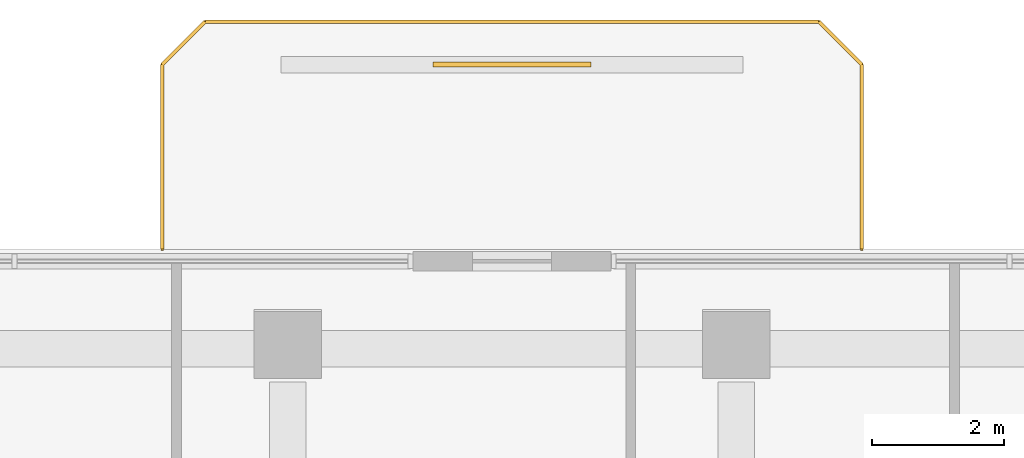
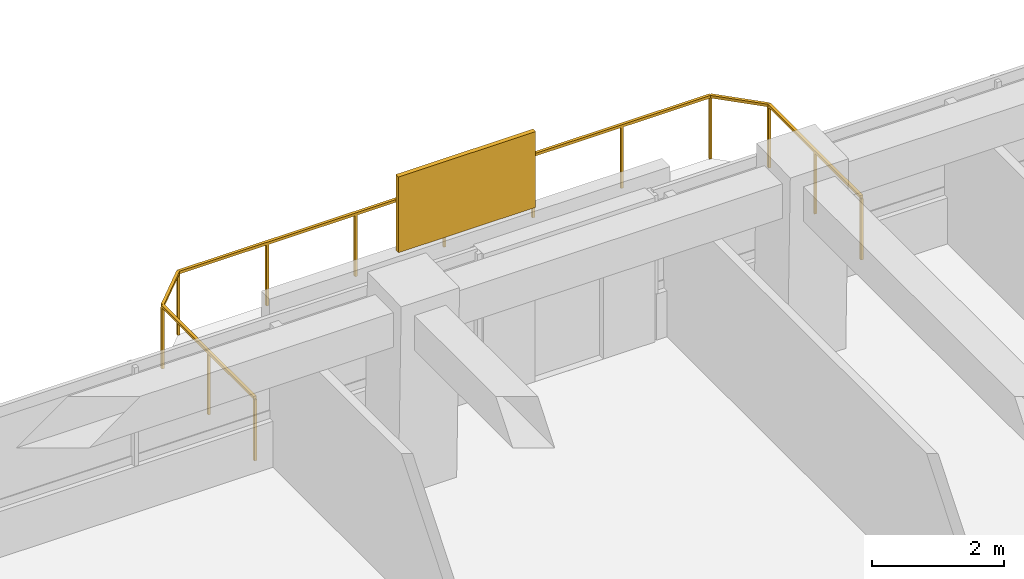
# One storey, part 13 of 13: 1 railing, 1 shading device.
"""IFC4 building model written with IfcOpenShell, lengths in metres."""

from ifc_helpers import new_model, si_unit, derived_unit, direction, frame, origin, origin_2d, place, context, subcontext, project, spatial, rectangle, extrude, material, layer, layer_set, type_object, element, save


model = new_model("IFC4")

# Units and contexts
model_context = context("Model", 3, precision=1e-05, world=origin(), true_north=direction((0.0, 1.0)))
body_context = subcontext(model_context, "Body", "Model", "MODEL_VIEW")
ifc_project = project(units=[si_unit("LENGTHUNIT", "METRE"), si_unit("AREAUNIT", "SQUARE_METRE"), si_unit("VOLUMEUNIT", "CUBIC_METRE"), si_unit("PLANEANGLEUNIT", "RADIAN"), si_unit("MASSUNIT", "GRAM", prefix="KILO"), derived_unit("THERMALTRANSMITTANCEUNIT", [(si_unit("POWERUNIT", "WATT"), 1), (si_unit("LENGTHUNIT", "METRE"), -2), (si_unit("THERMODYNAMICTEMPERATUREUNIT", "KELVIN"), -1)])], contexts=[model_context])

# Site, building, storey
site_placement = place(None, origin())
site = spatial("IfcSite", under=ifc_project, at=site_placement, CompositionType="ELEMENT")
building_placement = place(site_placement, origin())
building = spatial("IfcBuilding", under=site, at=building_placement, Name="Koralith Skygarden Medical Center", CompositionType="ELEMENT")
storey_placement = place(building_placement, frame((0.0, 0.0, 102.780029296875)))
storey = spatial("IfcBuildingStorey", under=building, at=storey_placement, Name="L26", CompositionType="ELEMENT", Elevation=102.780029296875)

# Railing
ifc_material_1 = material(Name="Steel ASTM A500 Grade C", Category="steel")
railing_type = type_object("IfcRailingType", Name="Outdoor Terrace & Balcony Safety Guardrail 1180", PredefinedType="GUARDRAIL", material=ifc_material_1)
railing_placement = place(storey_placement, frame((42.300048828125, 47.946044921875, 0.0)))
element("IfcRailing", 1, at=railing_placement, inside=storey, type_object=railing_type, Name="L26 N Balcony Perimeter Guardrail", PredefinedType="GUARDRAIL", context=body_context, shape_type="SweptSolid", body=[
    extrude(rectangle(XDim=0.050048828125, YDim=0.050048828125, at=origin_2d()), frame((0.0, 0.001953125, 1.15478515625), z_axis=(0.0, 1.0, 0.0), x_axis=(-1.0, 0.0, 0.0)), (0.0, 0.0, 1.0), 2.796142578125),
    extrude(rectangle(XDim=0.050048828125, YDim=0.050048828125, at=origin_2d()), frame((-0.00146484375, 2.801513671875, 1.15478515625), z_axis=(-0.707239558722, 0.706973978714, 0.0), x_axis=(-0.706973978714, -0.707239558722, 0.0)), (0.0, 0.0, 1.0), 0.915283203125),
    extrude(rectangle(XDim=0.050048828125, YDim=0.050048828125, at=origin_2d()), frame((-0.652099609375, 3.449951171875, 1.15478515625), z_axis=(-1.0, 0.0, 0.0), x_axis=(0.0, -1.0, 0.0)), (0.0, 0.0, 1.0), 9.2958984375),
    extrude(rectangle(XDim=0.050048828125, YDim=0.050048828125, at=origin_2d()), frame((-9.951416015625, 3.448486328125, 1.15478515625), z_axis=(-0.707239558722, -0.706973978714, 0.0), x_axis=(0.706973978714, -0.707239558722, 0.0)), (0.0, 0.0, 1.0), 0.915283203125),
    extrude(rectangle(XDim=0.050048828125, YDim=0.050048828125, at=origin_2d()), frame((-10.60009765625, 2.798095703125, 1.15478515625), z_axis=(0.0, -1.0, 0.0), x_axis=(1.0, 0.0, 0.0)), (0.0, 0.0, 1.0), 2.796142578125),
    extrude(rectangle(XDim=0.0419921875, YDim=0.0419921875, at=origin_2d()), origin(), (0.0, 0.0, 1.0), 1.1279296875),
    extrude(rectangle(XDim=0.0419921875, YDim=0.0419921875, at=origin_2d()), frame((0.0, 1.39990234375, 0.0)), (0.0, 0.0, 1.0), 1.1279296875),
    extrude(rectangle(XDim=0.0419921875, YDim=0.0419921875, at=origin_2d()), frame((0.0, 2.800048828125, 0.0)), (0.0, 0.0, 1.0), 1.1279296875),
    extrude(rectangle(XDim=0.0419921875, YDim=0.0419921875, at=origin_2d()), frame((-0.650146484375, 3.449951171875, 0.0)), (0.0, 0.0, 1.0), 1.1279296875),
    extrude(rectangle(XDim=0.0419921875, YDim=0.0419921875, at=origin_2d()), frame((-2.2001953125, 3.449951171875, 0.0)), (0.0, 0.0, 1.0), 1.1279296875),
    extrude(rectangle(XDim=0.0419921875, YDim=0.0419921875, at=origin_2d()), frame((-3.75, 3.449951171875, 0.0)), (0.0, 0.0, 1.0), 1.1279296875),
    extrude(rectangle(XDim=0.0419921875, YDim=0.0419921875, at=origin_2d()), frame((-5.300048828125, 3.449951171875, 0.0)), (0.0, 0.0, 1.0), 1.1279296875),
    extrude(rectangle(XDim=0.0419921875, YDim=0.0419921875, at=origin_2d()), frame((-6.85009765625, 3.449951171875, 0.0)), (0.0, 0.0, 1.0), 1.1279296875),
    extrude(rectangle(XDim=0.0419921875, YDim=0.0419921875, at=origin_2d()), frame((-8.39990234375, 3.449951171875, 0.0)), (0.0, 0.0, 1.0), 1.1279296875),
    extrude(rectangle(XDim=0.0419921875, YDim=0.0419921875, at=origin_2d()), frame((-9.949951171875, 3.449951171875, 0.0)), (0.0, 0.0, 1.0), 1.1279296875),
    extrude(rectangle(XDim=0.0419921875, YDim=0.0419921875, at=origin_2d()), frame((-10.60009765625, 2.800048828125, 0.0)), (0.0, 0.0, 1.0), 1.1279296875),
    extrude(rectangle(XDim=0.0419921875, YDim=0.0419921875, at=origin_2d()), frame((-10.60009765625, 1.39990234375, 0.0)), (0.0, 0.0, 1.0), 1.1279296875),
    extrude(rectangle(XDim=0.0419921875, YDim=0.0419921875, at=origin_2d()), frame((-10.60009765625, 0.0, 0.0)), (0.0, 0.0, 1.0), 1.1279296875),
])

# Shading device
ifc_material_2 = material(Name="Aluminium 6063-T6", Category="aluminium")
ifc_layer = layer(ifc_material_2, 0.080078125)
ifc_layer_set = layer_set([ifc_layer], Name="Aluminium 6063-T6")
shading_device_type = type_object("IfcShadingDeviceType", Name="Perforated Biophilic Balcony Trellis Screen", PredefinedType="USERDEFINED", material=ifc_layer_set)
shading_device_placement = place(storey_placement, frame((37.0, 50.74609375, 0.719970703125), z_axis=(0.0, 0.0, 1.0), x_axis=(1.0, 0.0, 0.0)))
element("IfcShadingDevice", 2, at=shading_device_placement, inside=storey, type_object=shading_device_type, Name="L26 N Biophilic Balcony Trellis Screen", ObjectType="HURRICANE SCREEN", PredefinedType="USERDEFINED", context=body_context, shape_type="SweptSolid", body=[
    extrude(rectangle(XDim=2.39990234375, YDim=0.080078125, at=origin_2d()), origin(), (0.0, 0.0, 1.0), 1.39990234375),
])

save(model, "model.ifc")
